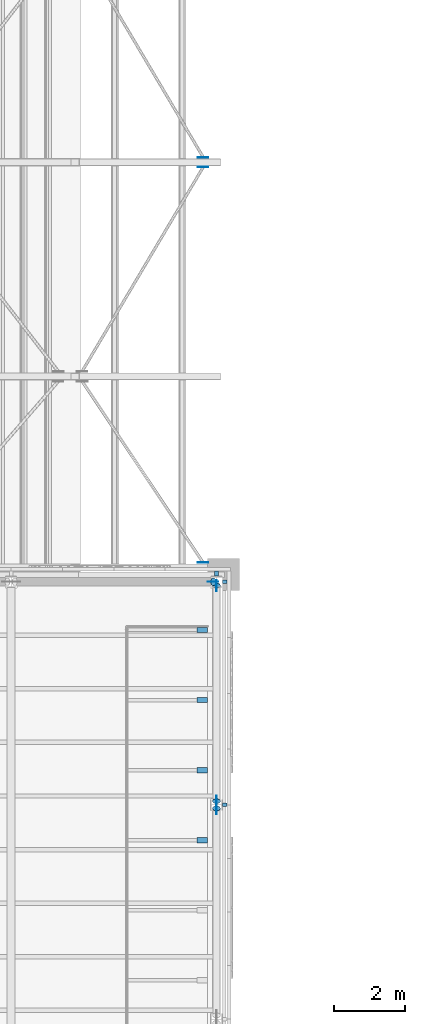
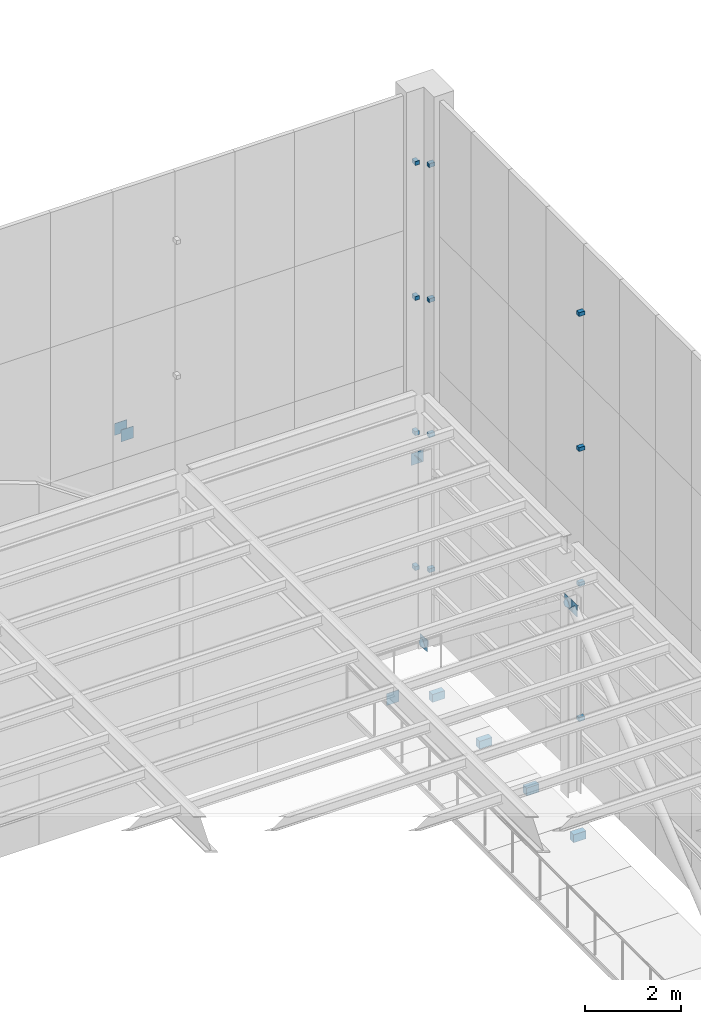
# One storey, part 32 of 43: 27 discrete accessories.
"""IFC4 building model written with IfcOpenShell, lengths in metres."""

from ifc_helpers import new_model, si_unit, direction, frame, origin, origin_2d, place, context, subcontext, project, spatial, rectangle, circle, extrude, material, material_profile, profile_set, type_object, element, save


model = new_model("IFC4")

# Units and contexts
model_context = context("Model", 3, precision=1e-05, world=origin(), true_north=direction((0.0, 1.0)))
body_context = subcontext(model_context, "Body", "Model", "MODEL_VIEW")
ifc_project = project(units=[si_unit("LENGTHUNIT", "METRE"), si_unit("AREAUNIT", "SQUARE_METRE"), si_unit("VOLUMEUNIT", "CUBIC_METRE"), si_unit("PLANEANGLEUNIT", "RADIAN"), si_unit("MASSUNIT", "GRAM", prefix="KILO")], contexts=[model_context])

# Site, building, storey
site_placement = place(None, origin())
site = spatial("IfcSite", under=ifc_project, at=site_placement, CompositionType="ELEMENT")
building_placement = place(site_placement, origin())
building = spatial("IfcBuilding", under=site, at=building_placement, Name="Saffron Lane Theatres", CompositionType="ELEMENT")
storey_placement = place(building_placement, frame((0.0, 0.0, 23.0)))
storey = spatial("IfcBuildingStorey", under=building, at=storey_placement, Name="Roof", CompositionType="ELEMENT", Elevation=23.0)

# Discrete accessories
ifc_material_1 = material(Name="Steel Grade 350", Category="steel")
ifc_material_profile_1 = material_profile(ifc_material_1, rectangle(XDim=0.300048828125, YDim=0.300048828125, at=origin_2d()))
ifc_profile_set_1 = profile_set([ifc_material_profile_1], Name="Steel Grade 350")
discrete_accessory_type_1 = type_object("IfcDiscreteAccessoryType", Name="ST-GUSSET CONNECTION PLATE", PredefinedType="BRACKET", material=ifc_profile_set_1)
for number, where, z_axis, x_axis, name in (
    (1, (47.372314453125, 54.783203125, -1.570556640625), (0.0, 1.0, 0.0), (-1.0, 0.0, 0.0), "GB16"),
    (2, (47.376708984375, 65.86865234375, -1.576171875), (0.0, -1.0, 0.0), (1.0, 0.0, 0.0), "GB32"),
    (3, (47.376708984375, 66.13134765625, -1.576171875), (0.0, 1.0, 0.0), (-1.0, 0.0, 0.0), "GB48"),
):
    element("IfcDiscreteAccessory", number, at=place(storey_placement, frame(where, z_axis=z_axis, x_axis=x_axis)), inside=storey, type_object=discrete_accessory_type_1, Name=name, PredefinedType="BRACKET", context=body_context, shape_type="SweptSolid", body=[
        extrude(rectangle(XDim=0.300048828125, YDim=0.300048828125, at=origin_2d()), origin(), (0.0, 0.0, 1.0), 0.010009765625),
    ])
for number, where, z_axis, x_axis, name in (
    (4, (47.650634765625, 54.2451171875, 4.766357421875), (0.0, 1.0, 0.0), (-1.0, 0.0, 0.0), "GB134"),
    (5, (47.7451171875, 47.89453125, 4.764892578125), (1.0, 0.0, 0.0), (0.0, 1.0, 0.0), "GB162"),
    (6, (47.7451171875, 54.138427734375, 0.086669921875), (1.0, 0.0, 0.0), (0.0, 1.0, 0.0), "GB165"),
    (7, (47.7451171875, 48.111572265625, 4.763427734375), (1.0, 0.0, 0.0), (0.0, 1.0, 0.0), "GB166"),
):
    element("IfcDiscreteAccessory", number, at=place(storey_placement, frame(where, z_axis=z_axis, x_axis=x_axis)), inside=storey, type_object=discrete_accessory_type_1, Name=name, PredefinedType="BRACKET", context=body_context, shape_type="SweptSolid", body=[
        extrude(rectangle(XDim=0.300048828125, YDim=0.300048828125, at=origin_2d()), origin(), (0.0, 0.0, 1.0), 0.009765625),
    ])
ifc_material_2 = material(Name="Steel Grade 350", Category="steel")
ifc_material_profile_2 = material_profile(ifc_material_2, circle(Radius=0.109619140625, at=origin_2d()))
ifc_profile_set_2 = profile_set([ifc_material_profile_2], Name="Steel Grade 350")
discrete_accessory_type_2 = type_object("IfcDiscreteAccessoryType", Name="ST-STEEL END CAP 219.1x8.2 CHS", PredefinedType="ANCHORPLATE", material=ifc_profile_set_2)
discrete_accessory_1_placement = place(storey_placement, frame((47.650634765625, 54.25, 4.766357421875), z_axis=(0.774865020772, 0.0, 0.632126727472), x_axis=(0.0, 1.0, 0.0)))
element("IfcDiscreteAccessory", 8, at=discrete_accessory_1_placement, inside=storey, type_object=discrete_accessory_type_2, Name="EC80", PredefinedType="ANCHORPLATE", context=body_context, shape_type="SweptSolid", body=[
    extrude(circle(Radius=0.109619140625, at=origin_2d()), origin(), (0.0, 0.0, 1.0), 0.011962890625),
])
for number, where, z_axis, x_axis, name in (
    (9, (47.75, 47.89453125, 4.764892578125), (0.0, 0.782823254756, 0.622244125575), (-1.0, 0.0, 0.0), "EC108"),
    (10, (47.75, 54.14794921875, 0.0791015625), (0.0, -0.782823254756, 0.622244125575), (1.0, 0.0, 0.0), "EC111"),
):
    element("IfcDiscreteAccessory", number, at=place(storey_placement, frame(where, z_axis=z_axis, x_axis=x_axis)), inside=storey, type_object=discrete_accessory_type_2, Name=name, PredefinedType="ANCHORPLATE", context=body_context, shape_type="SweptSolid", body=[
        extrude(circle(Radius=0.109619140625, at=origin_2d()), origin(), (0.0, 0.0, 1.0), 0.01220703125),
    ])
discrete_accessory_2_placement = place(storey_placement, frame((47.75, 48.111572265625, 4.763427734375), z_axis=(0.0, -0.792623989105, 0.60971076085), x_axis=(1.0, 0.0, 0.0)))
element("IfcDiscreteAccessory", 11, at=discrete_accessory_2_placement, inside=storey, type_object=discrete_accessory_type_2, Name="EC112", PredefinedType="ANCHORPLATE", context=body_context, shape_type="SweptSolid", body=[
    extrude(circle(Radius=0.109619140625, at=origin_2d()), origin(), (0.0, 0.0, 1.0), 0.011962890625),
])
for number, where, z_axis, x_axis, name in (
    (12, (47.35009765625, 47.012451171875, -0.44775390625), (0.0, 0.0, 1.0), (1.0, 0.0, 0.0), "FKE23-7"),
    (13, (47.35009765625, 48.97509765625, -0.44775390625), (0.0, 0.0, 1.0), (1.0, 0.0, 0.0), "FKE23-8"),
    (14, (47.35009765625, 50.9375, -0.44775390625), (0.0, 0.0, 1.0), (1.0, 0.0, 0.0), "FKE23-9"),
    (15, (47.35009765625, 52.89990234375, -0.44775390625), (0.0, 0.0, 1.0), (1.0, 0.0, 0.0), "FKE23-10"),
):
    element("IfcDiscreteAccessory", number, at=place(storey_placement, frame(where, z_axis=z_axis, x_axis=x_axis)), inside=storey, Name=name, PredefinedType="BRACKET", context=body_context, shape_type="SweptSolid", body=[
        extrude(rectangle(XDim=0.300048828125, YDim=0.14990234375, at=origin_2d()), origin(), (0.0, 0.0, 1.0), 0.199951171875),
    ])
for number, where, z_axis, x_axis, name in (
    (16, (47.75, 54.481689453125, 1.768798828125), (0.0, 0.0, 1.0), (1.0, 0.0, 0.0), "Tower panel bracket 45"),
    (17, (47.75, 54.481689453125, 5.206298828125), (0.0, 0.0, 1.0), (1.0, 0.0, 0.0), "Tower panel bracket 46"),
    (18, (47.75, 54.481689453125, 8.643798828125), (0.0, 0.0, 1.0), (1.0, 0.0, 0.0), "Tower panel bracket 47"),
    (19, (47.75, 54.481689453125, 12.081298828125), (0.0, 0.0, 1.0), (1.0, 0.0, 0.0), "Tower panel bracket 48"),
    (20, (47.981689453125, 48.0, 1.768798828125), (0.0, 0.0, 1.0), (0.0, 1.0, 0.0), "Tower panel bracket 81"),
    (21, (47.981689453125, 48.0, 5.206298828125), (0.0, 0.0, 1.0), (0.0, 1.0, 0.0), "Tower panel bracket 82"),
    (22, (47.981689453125, 48.0, 8.643798828125), (0.0, 0.0, 1.0), (0.0, 1.0, 0.0), "Tower panel bracket 83"),
    (23, (47.981689453125, 48.0, 12.081298828125), (0.0, 0.0, 1.0), (0.0, 1.0, 0.0), "Tower panel bracket 84"),
    (24, (47.981689453125, 54.25, 1.768798828125), (0.0, 0.0, 1.0), (0.0, 1.0, 0.0), "Tower panel bracket 85"),
    (25, (47.981689453125, 54.25, 5.206298828125), (0.0, 0.0, 1.0), (0.0, 1.0, 0.0), "Tower panel bracket 86"),
    (26, (47.981689453125, 54.25, 8.643798828125), (0.0, 0.0, 1.0), (0.0, 1.0, 0.0), "Tower panel bracket 87"),
    (27, (47.981689453125, 54.25, 12.081298828125), (0.0, 0.0, 1.0), (0.0, 1.0, 0.0), "Tower panel bracket 88"),
):
    element("IfcDiscreteAccessory", number, at=place(storey_placement, frame(where, z_axis=z_axis, x_axis=x_axis)), inside=storey, Name=name, PredefinedType="BRACKET", context=body_context, shape_type="SweptSolid", body=[
        extrude(rectangle(XDim=0.10009765625, YDim=0.136474609375, at=origin_2d()), origin(), (0.0, 0.0, 1.0), 0.10009765625),
    ])

save(model, "model.ifc")
